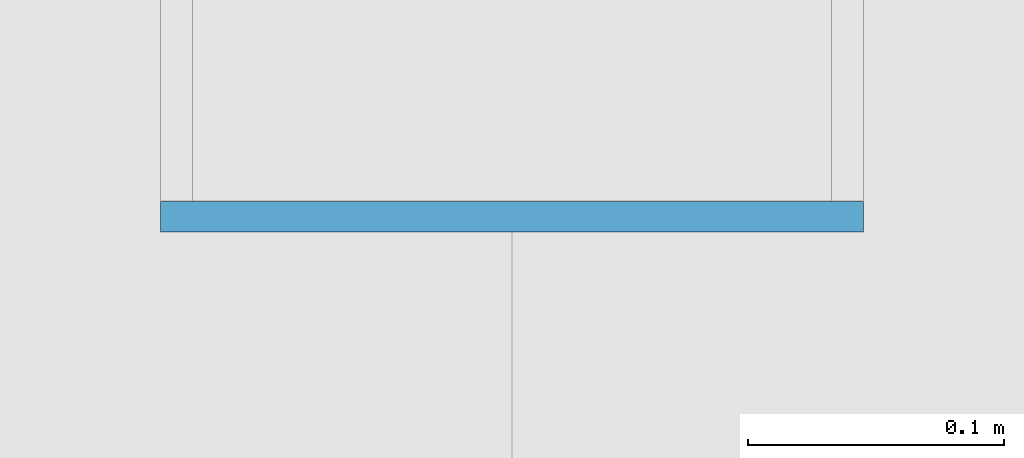
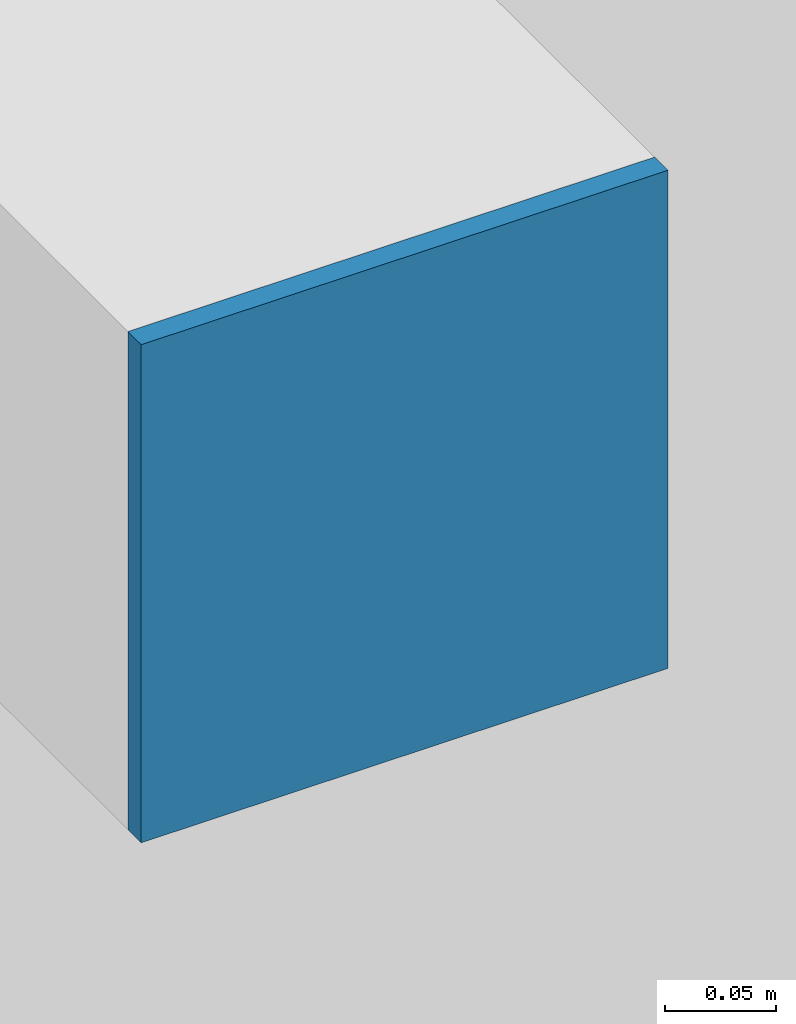
# One storey, part 32 of 44: 1 plate.
"""IFC4 building model written with IfcOpenShell, lengths in metres."""

from ifc_helpers import new_model, si_unit, direction, frame, origin, origin_2d, place, context, subcontext, project, spatial, rectangle, extrude, source, transform, mapped, material, layer, layer_set, type_object, element, save


model = new_model("IFC4")

# Units and contexts
model_context = context("Model", 3, precision=1e-05, world=origin(), true_north=direction((0.0, 1.0)))
body_context = subcontext(model_context, "Body", "Model", "MODEL_VIEW")
ifc_project = project(units=[si_unit("LENGTHUNIT", "METRE"), si_unit("AREAUNIT", "SQUARE_METRE"), si_unit("VOLUMEUNIT", "CUBIC_METRE"), si_unit("PLANEANGLEUNIT", "RADIAN"), si_unit("MASSUNIT", "GRAM", prefix="KILO")], contexts=[model_context])

# Site, building, storey
site_placement = place(None, origin())
site = spatial("IfcSite", under=ifc_project, at=site_placement, CompositionType="ELEMENT")
building_placement = place(site_placement, origin())
building = spatial("IfcBuilding", under=site, at=building_placement, Name="Taldren Reach Tower", CompositionType="ELEMENT")
storey_placement = place(building_placement, frame((0.0, 0.0, 42.0)))
storey = spatial("IfcBuildingStorey", under=building, at=storey_placement, Name="L12", CompositionType="ELEMENT", Elevation=42.0)

# Plate
ifc_material = material(Name="Steel Gr 450 (C450L0)", Category="steel")
ifc_layer = layer(ifc_material, 0.011962890625)
ifc_layer_set = layer_set([ifc_layer], Name="Steel Gr 450 (C450L0)")
plate_type = type_object("IfcPlateType", Name="PL-CAP-275", PredefinedType="SHEET", material=ifc_layer_set)
shared_shape = source(origin(), body_context, "Body", "SweptSolid", [
    extrude(rectangle(XDim=0.27490234375, YDim=0.011962890625, at=origin_2d()), origin(), (0.0, 0.0, 1.0), 0.27490234375),
])
plate_placement = place(storey_placement, frame((29.760009765625, 0.593994140625, 2.512451171875), z_axis=(0.0, 0.0, 1.0), x_axis=(1.0, 0.0, 0.0)))
element("IfcPlate", 1, at=plate_placement, inside=storey, type_object=plate_type, Name="Tie strut end cap plate B1-S3 L12", PredefinedType="SHEET", context=body_context, shape_type="MappedRepresentation", body=[
    mapped(shared_shape, transform((0.0, 0.0, 0.0), scale=1.0)),
])

save(model, "model.ifc")
